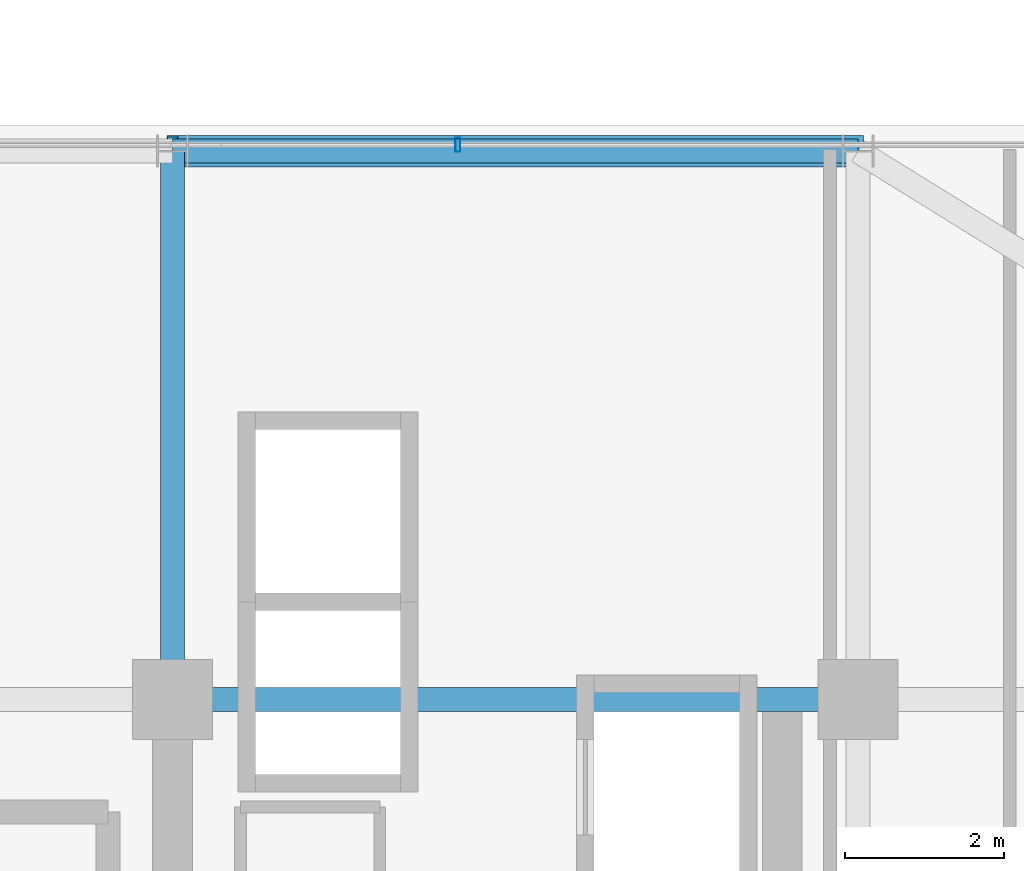
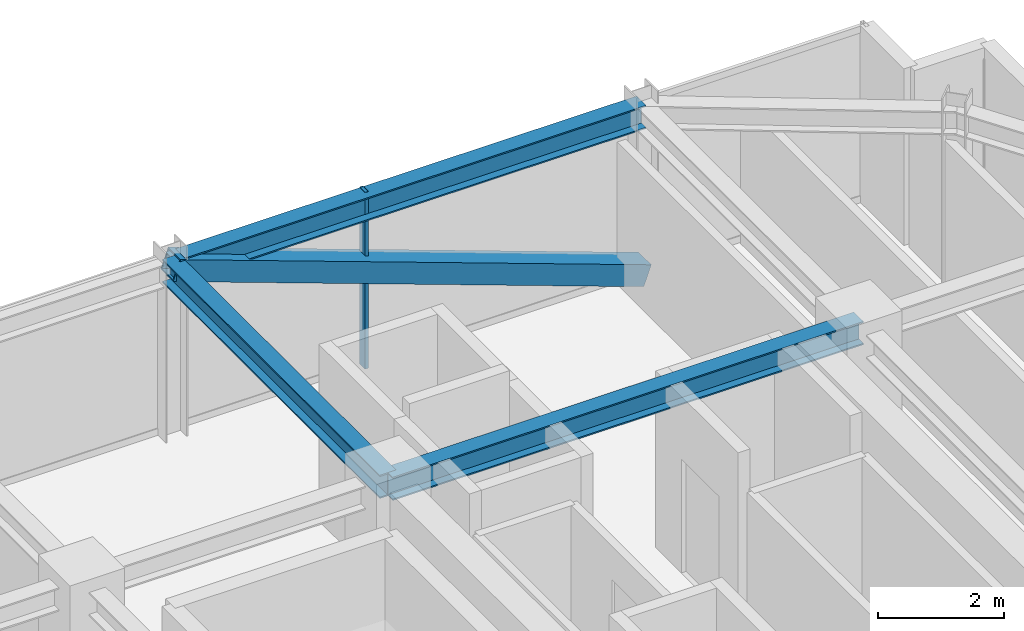
# One storey, part 26 of 43: 3 beams, 2 members, 1 element without a shape of its own.
"""IFC4 building model written with IfcOpenShell, lengths in metres."""

import ifcopenshell
import ifcopenshell.guid

model = None  # the IFC model being written
_history = None  # IfcOwnerHistory: only IFC2X3 demands one
_inside = {}  # id of a spatial element -> (the spatial element, [elements in it])
_under = {}  # id of a project, library or spatial element -> (it, [spatial elements below it])
_declared = {}  # id of a project -> (the project, [libraries it declares])
_typed = {}  # id of a type object -> (the type object, [elements of that type])
_made_of = {}  # id of a material, layer set ... -> (it, [elements and type objects made of it])


def new_model(schema):
    """Start an empty IFC model of exactly this schema.

    Asked for "IFC4X3", IfcOpenShell would pick the latest addendum, in which some entities
    have other attributes; the version numbers below select the first issue.
    IFC2X3 requires an IfcOwnerHistory on every rooted entity: one is made here for all.
    """
    global model, _history
    if schema == "IFC4X3":
        model = ifcopenshell.file(schema_version=(4, 3, 0, 0))
    else:
        model = ifcopenshell.file(schema=schema)
    _inside.clear()
    _under.clear()
    _declared.clear()
    _typed.clear()
    _made_of.clear()
    _history = None
    if model.schema == "IFC2X3":
        org = make("IfcOrganization", Name="unknown")
        user = make(
            "IfcPersonAndOrganization",
            ThePerson=make("IfcPerson", FamilyName="unknown"),
            TheOrganization=org,
        )
        app = make(
            "IfcApplication",
            ApplicationDeveloper=org,
            Version="unknown",
            ApplicationFullName="unknown",
            ApplicationIdentifier="unknown",
        )
        _history = make(
            "IfcOwnerHistory",
            OwningUser=user,
            OwningApplication=app,
            ChangeAction="ADDED",
            CreationDate=0,
        )
    return model


def make(cls, **values):
    """One entity of the class cls with the attributes given. An attribute that is None is left unset."""
    return model.create_entity(
        cls, **{name: value for name, value in values.items() if value is not None}
    )


def rooted(cls, **values):
    """An entity with a GlobalId (a new one), such as an element, a storey or a relation."""
    return make(cls, GlobalId=ifcopenshell.guid.new(), OwnerHistory=_history, **values)


def si_unit(unit_type, name, prefix=None):
    """IfcSIUnit, for example si_unit("LENGTHUNIT", "METRE", prefix="MILLI")."""
    return make("IfcSIUnit", UnitType=unit_type, Prefix=prefix, Name=name)


def assignment(units):
    """IfcUnitAssignment: the units of a project."""
    return None if units is None else make("IfcUnitAssignment", Units=units)


def point(xyz):
    """IfcCartesianPoint."""
    return None if xyz is None else make("IfcCartesianPoint", Coordinates=xyz)


def direction(xyz):
    """IfcDirection."""
    return None if xyz is None else make("IfcDirection", DirectionRatios=xyz)


def frame(location, z_axis=None, x_axis=None):
    """IfcAxis2Placement3D, a coordinate frame: its origin and axes. An axis left out is left unset."""
    return make(
        "IfcAxis2Placement3D",
        Location=point(location),
        Axis=direction(z_axis),
        RefDirection=direction(x_axis),
    )


def frame_2d(location, x_axis=None):
    """IfcAxis2Placement2D, a coordinate frame in the plane: its origin and x axis."""
    return make(
        "IfcAxis2Placement2D", Location=point(location), RefDirection=direction(x_axis)
    )


def origin():
    """The frame at (0, 0, 0) with its axes left unset."""
    return frame((0.0, 0.0, 0.0))


def origin_2d():
    """The frame at (0, 0) in the plane with its x axis left unset."""
    return frame_2d((0.0, 0.0))


def place(relative_to, where):
    """IfcLocalPlacement: puts the frame where relative to a parent placement (None: the world)."""
    return make(
        "IfcLocalPlacement", PlacementRelTo=relative_to, RelativePlacement=where
    )


def context(
    kind, dimensions, precision=None, world=None, true_north=None, identifier=None
):
    """IfcGeometricRepresentationContext, for example the 3D "Model" context."""
    return make(
        "IfcGeometricRepresentationContext",
        ContextIdentifier=identifier,
        ContextType=kind,
        CoordinateSpaceDimension=dimensions,
        Precision=precision,
        WorldCoordinateSystem=world,
        TrueNorth=true_north,
    )


def subcontext(parent, identifier, kind, view, scale=None):
    """IfcGeometricRepresentationSubContext, for example "Body" below "Model"."""
    return make(
        "IfcGeometricRepresentationSubContext",
        ContextIdentifier=identifier,
        ContextType=kind,
        ParentContext=parent,
        TargetScale=scale,
        TargetView=view,
    )


def project(units=None, contexts=None):
    """IfcProject with its units and contexts."""
    return rooted(
        "IfcProject",
        Name="project",
        RepresentationContexts=contexts,
        UnitsInContext=assignment(units),
    )


def spatial(cls, under=None, at=None, **own):
    """A site, building, storey or space (cls), placed at a placement, below another one or the project."""
    s = rooted(cls, ObjectPlacement=at, **own)
    if under is not None:
        _under.setdefault(under.id(), (under, []))[1].append(s)
    return s


def profile(cls, at=None, kind="AREA", **sizes):
    """A parametric profile (cls). Its sizes go by their IFC names, for example OverallWidth=200.0."""
    return make(cls, ProfileType=kind, Position=at, **sizes)


def hollow_rectangle(**sizes):
    """IfcRectangleHollowProfileDef."""
    return profile("IfcRectangleHollowProfileDef", **sizes)


def i_section(**sizes):
    """IfcIShapeProfileDef."""
    return profile("IfcIShapeProfileDef", **sizes)


def extrude(swept, where, along, depth):
    """IfcExtrudedAreaSolid: the profile swept, set in the frame where, extruded along a direction by depth."""
    return make(
        "IfcExtrudedAreaSolid",
        SweptArea=swept,
        Position=where,
        ExtrudedDirection=direction(along),
        Depth=depth,
    )


def shape(context_of_items, identifier, shape_type, items):
    """IfcShapeRepresentation: the items that make up one representation, for example the "Body"."""
    return make(
        "IfcShapeRepresentation",
        ContextOfItems=context_of_items,
        RepresentationIdentifier=identifier,
        RepresentationType=shape_type,
        Items=items,
    )


def source(mapping_origin, context_of_items, identifier, shape_type, items):
    """IfcRepresentationMap: a shape defined once, which mapped items show again and again."""
    return make(
        "IfcRepresentationMap",
        MappingOrigin=mapping_origin,
        MappedRepresentation=shape(context_of_items, identifier, shape_type, items),
    )


def transform(
    local_origin,
    x_axis=None,
    y_axis=None,
    z_axis=None,
    scale=None,
    scale2=None,
    scale3=None,
    uniform=True,
):
    """IfcCartesianTransformationOperator3D, or its non-uniform kind. x_axis, y_axis, z_axis: its Axis1, 2, 3."""
    if uniform:
        return make(
            "IfcCartesianTransformationOperator3D",
            Axis1=direction(x_axis),
            Axis2=direction(y_axis),
            LocalOrigin=point(local_origin),
            Scale=scale,
            Axis3=direction(z_axis),
        )
    return make(
        "IfcCartesianTransformationOperator3DnonUniform",
        Axis1=direction(x_axis),
        Axis2=direction(y_axis),
        LocalOrigin=point(local_origin),
        Scale=scale,
        Axis3=direction(z_axis),
        Scale2=scale2,
        Scale3=scale3,
    )


def mapped(mapping_source, mapping_target):
    """IfcMappedItem: shows the shape of a source again, moved by a transform."""
    return make(
        "IfcMappedItem", MappingSource=mapping_source, MappingTarget=mapping_target
    )


def material(Name=None, Category=None):
    """IfcMaterial."""
    return make("IfcMaterial", Name=Name, Category=Category)


def material_profile(
    of_material, cross_section, Name=None, Category=None, Priority=None
):
    """IfcMaterialProfile: a cross section and its material."""
    return make(
        "IfcMaterialProfile",
        Name=Name,
        Material=of_material,
        Profile=cross_section,
        Priority=Priority,
        Category=Category,
    )


def profile_set(profiles, Name=None, composite=None):
    """IfcMaterialProfileSet."""
    return make(
        "IfcMaterialProfileSet",
        Name=Name,
        MaterialProfiles=profiles,
        CompositeProfile=composite,
    )


def made_of(thing, what):
    """Note that an element or type object is made of a material, layer set ...; save() writes the relation."""
    if what is not None:
        _made_of.setdefault(what.id(), (what, []))[1].append(thing)
    return thing


def type_object(cls, material=None, **own):
    """A type object (cls), such as IfcWallType, which elements share."""
    return made_of(rooted(cls, **own), material)


def element(
    cls,
    number,
    at=None,
    inside=None,
    cuts=None,
    type_object=None,
    material=None,
    context=None,
    identifier="Body",
    shape_type=None,
    held_by="IfcProductDefinitionShape",
    body=None,
    shapes=None,
    **own,
):
    """One element of the class cls, such as IfcWall. Its Tag is "e" and its number.

    at: its placement. inside: the storey or other place that contains it. cuts: it is an
    opening in that element (IfcRelVoidsElement). A single representation is given by context,
    identifier, shape_type and body (its items); several are given by shapes. held_by: the class
    of the entity that holds the representations. save() writes the other relations.
    """
    e = rooted(cls, Tag="e%d" % number, ObjectPlacement=at, **own)
    if body is not None:
        shapes = [shape(context, identifier, shape_type, body)]
    if shapes is not None:
        e.Representation = make(held_by, Representations=shapes)
    if inside is not None:
        _inside.setdefault(inside.id(), (inside, []))[1].append(e)
    if cuts is not None:
        rooted(
            "IfcRelVoidsElement", RelatingBuildingElement=cuts, RelatedOpeningElement=e
        )
    if type_object is not None:
        _typed.setdefault(type_object.id(), (type_object, []))[1].append(e)
    return made_of(e, material)


def aggregate(whole, parts):
    """IfcRelAggregates: a whole, such as a stair, and the parts it consists of."""
    return rooted("IfcRelAggregates", RelatingObject=whole, RelatedObjects=parts)


def save(model, path):
    """Write the relations noted so far, then the file.

    IfcRelAggregates (storeys below a building ...), IfcRelContainedInSpatialStructure (elements
    in a storey), IfcRelDefinesByType, IfcRelAssociatesMaterial and IfcRelDeclares: one each for
    every whole, place, type object, material and project.
    """
    for whole, parts in _under.values():
        aggregate(whole, parts)
    for where, things in _inside.values():
        rooted(
            "IfcRelContainedInSpatialStructure",
            RelatedElements=things,
            RelatingStructure=where,
        )
    for kind, things in _typed.values():
        rooted("IfcRelDefinesByType", RelatedObjects=things, RelatingType=kind)
    for what, things in _made_of.values():
        rooted("IfcRelAssociatesMaterial", RelatedObjects=things, RelatingMaterial=what)
    for by, libraries in _declared.values():
        rooted("IfcRelDeclares", RelatingContext=by, RelatedDefinitions=libraries)
    model.write(path)


model = new_model("IFC4")

# Units and contexts
model_context = context("Model", 3, precision=1e-05, world=origin(), true_north=direction((0.0, 1.0)))
body_context = subcontext(model_context, "Body", "Model", "MODEL_VIEW")
ifc_project = project(units=[si_unit("LENGTHUNIT", "METRE"), si_unit("AREAUNIT", "SQUARE_METRE"), si_unit("VOLUMEUNIT", "CUBIC_METRE"), si_unit("PLANEANGLEUNIT", "RADIAN"), si_unit("MASSUNIT", "GRAM", prefix="KILO")], contexts=[model_context])

# Site, building, storey
site_placement = place(None, origin())
site = spatial("IfcSite", under=ifc_project, at=site_placement, CompositionType="ELEMENT")
building_placement = place(site_placement, origin())
building = spatial("IfcBuilding", under=site, at=building_placement, Name="Nahalor Promenade Grand Hotel", CompositionType="ELEMENT")
storey_placement = place(building_placement, frame((0.0, 0.0, 204.89990234375)))
storey = spatial("IfcBuildingStorey", under=building, at=storey_placement, Name="L52", CompositionType="ELEMENT", Elevation=204.89990234375)

# Beams
ifc_material_1 = material(Name="Steel S355JR", Category="steel")
ifc_material_profile_1 = material_profile(ifc_material_1, i_section(OverallWidth=0.3, OverallDepth=0.45, WebThickness=0.014, FlangeThickness=0.026, at=origin_2d()), Name="HEB 450")
ifc_profile_set_1 = profile_set([ifc_material_profile_1], Name="Steel S355JR")
beam_type_1 = type_object("IfcBeamType", Name="Beam-Spandrel-HEB450", PredefinedType="SPANDREL", material=ifc_profile_set_1)
shared_shape_1 = source(origin(), body_context, "Body", "SweptSolid", [
    extrude(i_section(OverallWidth=0.3, OverallDepth=0.45, WebThickness=0.014, FlangeThickness=0.026, at=origin_2d()), origin(), (0.0, 0.0, 1.0), 8.60009765625),
])
beam_1_placement = place(storey_placement, frame((8.39990234375, 23.8798828125, 3.18505859375), z_axis=(1.0, 0.0, 0.0), x_axis=(0.0, 1.0, 0.0)))
element("IfcBeam", 1, at=beam_1_placement, inside=storey, type_object=beam_type_1, Name="BM-L52-SP-N-4", PredefinedType="SPANDREL", context=body_context, shape_type="MappedRepresentation", body=[
    mapped(shared_shape_1, transform((0.0, 0.0, 0.0), scale=1.0)),
])
ifc_material_profile_2 = material_profile(ifc_material_1, i_section(OverallWidth=0.3, OverallDepth=0.45, WebThickness=0.014, FlangeThickness=0.026, at=origin_2d()), Name="HEB 450")
ifc_profile_set_2 = profile_set([ifc_material_profile_2], Name="Steel S355JR")
beam_type_2 = type_object("IfcBeamType", Name="Beam-Girder-HEB450", PredefinedType="BEAM", material=ifc_profile_set_2)
shared_shape_2 = source(origin(), body_context, "Body", "SweptSolid", [
    extrude(i_section(OverallWidth=0.3, OverallDepth=0.45, WebThickness=0.014, FlangeThickness=0.026, at=origin_2d()), origin(), (0.0, 0.0, 1.0), 6.8798828125),
])
beam_2_placement = place(storey_placement, frame((8.39990234375, 17.0, 3.18505859375), z_axis=(0.0, 1.0, 0.0), x_axis=(-1.0, 0.0, 0.0)))
element("IfcBeam", 2, at=beam_2_placement, inside=storey, type_object=beam_type_2, Name="BM-L52-GY-4-4", PredefinedType="BEAM", context=body_context, shape_type="MappedRepresentation", body=[
    mapped(shared_shape_2, transform((0.0, 0.0, 0.0), scale=1.0)),
])
shared_shape_3 = source(origin(), body_context, "Body", "SweptSolid", [
    extrude(i_section(OverallWidth=0.3, OverallDepth=0.45, WebThickness=0.014, FlangeThickness=0.026, at=origin_2d()), origin(), (0.0, 0.0, 1.0), 8.60009765625),
])
beam_3_placement = place(storey_placement, frame((8.39990234375, 17.0, 3.18505859375), z_axis=(1.0, 0.0, 0.0), x_axis=(0.0, 1.0, 0.0)))
element("IfcBeam", 3, at=beam_3_placement, inside=storey, type_object=beam_type_2, Name="BM-L52-GX-3-5", PredefinedType="BEAM", context=body_context, shape_type="MappedRepresentation", body=[
    mapped(shared_shape_3, transform((0.0, 0.0, 0.0), scale=1.0)),
])

# Member
ifc_material_profile_3 = material_profile(ifc_material_1, hollow_rectangle(XDim=0.4, YDim=0.4, WallThickness=0.022, at=origin_2d()), Name="SHS 400x400x22")
ifc_profile_set_3 = profile_set([ifc_material_profile_3], Name="Steel S355JR")
member_type_1 = type_object("IfcMemberType", Name="Mem-ExoBrace-SHS400", PredefinedType="BRACE", material=ifc_profile_set_3)
shared_shape_4 = source(origin(), body_context, "Body", "SweptSolid", [
    extrude(hollow_rectangle(XDim=0.4, YDim=0.4, WallThickness=0.022, at=origin_2d()), origin(), (0.0, 0.0, 1.0), 9.14501953125),
])
member_1_placement = place(storey_placement, frame((17.0, 23.8798828125, 0.150146484375), z_axis=(-0.940404564616, 0.0, 0.340057722821), x_axis=(0.0, -1.0, 0.0)))
element("IfcMember", 4, at=member_1_placement, inside=storey, type_object=member_type_1, Name="EXO-L52-N-1", PredefinedType="BRACE", context=body_context, shape_type="MappedRepresentation", body=[
    mapped(shared_shape_4, transform((0.0, 0.0, 0.0), scale=1.0)),
])

# Curtain wall, member
ifc_material_2 = material(Name="Anodised Bronze Aluminium EN AW-6063 T6", Category="aluminium")
curtain_wall_type = type_object("IfcCurtainWallType", Name="CW2 Typical Hotel Flush Bronze Unitised Curtain Wall", PredefinedType="USERDEFINED", material=ifc_material_2)
curtain_wall_placement = place(storey_placement, origin())
curtain_wall = element("IfcCurtainWall", 5, at=curtain_wall_placement, inside=storey, type_object=curtain_wall_type, Name="L52 Curtain Wall CW-L52-N-3", ObjectType="UNITISED_CURTAIN_WALL", PredefinedType="USERDEFINED")
ifc_material_profile_4 = material_profile(ifc_material_2, hollow_rectangle(XDim=0.065, YDim=0.18, WallThickness=0.004, at=origin_2d()), Name="CWM 65x180x4")
ifc_profile_set_4 = profile_set([ifc_material_profile_4], Name="Anodised Bronze Aluminium EN AW-6063 T6")
member_type_2 = type_object("IfcMemberType", Name="CWM2 Typical Bronze Mullion 65x180", PredefinedType="MULLION", material=ifc_profile_set_4)
shared_shape_5 = source(origin(), body_context, "Body", "SweptSolid", [
    extrude(hollow_rectangle(XDim=0.065, YDim=0.18, WallThickness=0.004, at=origin_2d()), origin(), (0.0, 0.0, 1.0), 3.41015625),
])
member_2_placement = place(storey_placement, frame((11.97998046875, 23.9599609375, 0.0), z_axis=(0.0, 0.0, 1.0), x_axis=(1.0, 0.0, 0.0)))
member_2 = element("IfcMember", 6, at=member_2_placement, type_object=member_type_2, Name="CW-L52-N-3 Mullion 1", PredefinedType="MULLION", context=body_context, shape_type="MappedRepresentation", body=[
    mapped(shared_shape_5, transform((0.0, 0.0, 0.0), scale=1.0)),
])
aggregate(curtain_wall, [member_2])

save(model, "model.ifc")
